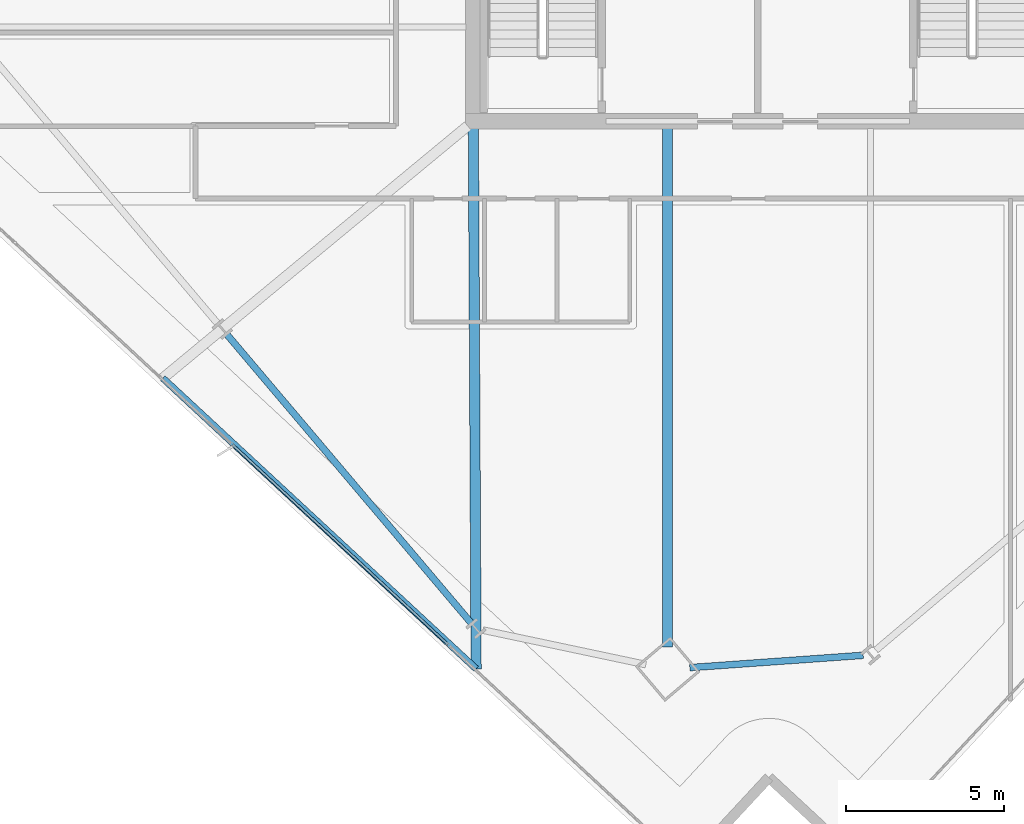
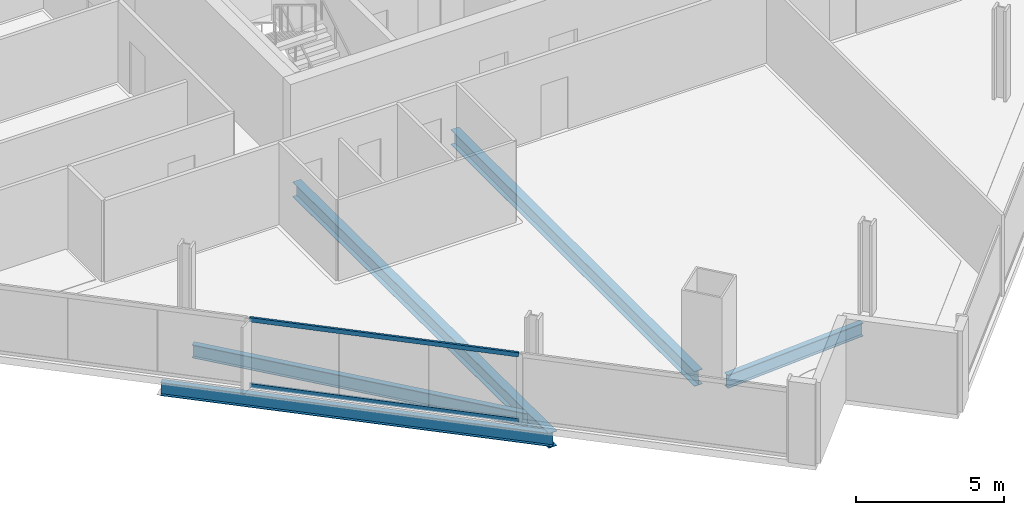
# One storey, part 3 of 32: 5 beams, 2 members, 1 element without a shape of its own.
"""IFC4 building model written with IfcOpenShell, lengths in metres."""

import ifcopenshell
import ifcopenshell.guid

model = None  # the IFC model being written
_history = None  # IfcOwnerHistory: only IFC2X3 demands one
_inside = {}  # id of a spatial element -> (the spatial element, [elements in it])
_under = {}  # id of a project, library or spatial element -> (it, [spatial elements below it])
_declared = {}  # id of a project -> (the project, [libraries it declares])
_typed = {}  # id of a type object -> (the type object, [elements of that type])
_made_of = {}  # id of a material, layer set ... -> (it, [elements and type objects made of it])


def new_model(schema):
    """Start an empty IFC model of exactly this schema.

    Asked for "IFC4X3", IfcOpenShell would pick the latest addendum, in which some entities
    have other attributes; the version numbers below select the first issue.
    IFC2X3 requires an IfcOwnerHistory on every rooted entity: one is made here for all.
    """
    global model, _history
    if schema == "IFC4X3":
        model = ifcopenshell.file(schema_version=(4, 3, 0, 0))
    else:
        model = ifcopenshell.file(schema=schema)
    _inside.clear()
    _under.clear()
    _declared.clear()
    _typed.clear()
    _made_of.clear()
    _history = None
    if model.schema == "IFC2X3":
        org = make("IfcOrganization", Name="unknown")
        user = make(
            "IfcPersonAndOrganization",
            ThePerson=make("IfcPerson", FamilyName="unknown"),
            TheOrganization=org,
        )
        app = make(
            "IfcApplication",
            ApplicationDeveloper=org,
            Version="unknown",
            ApplicationFullName="unknown",
            ApplicationIdentifier="unknown",
        )
        _history = make(
            "IfcOwnerHistory",
            OwningUser=user,
            OwningApplication=app,
            ChangeAction="ADDED",
            CreationDate=0,
        )
    return model


def make(cls, **values):
    """One entity of the class cls with the attributes given. An attribute that is None is left unset."""
    return model.create_entity(
        cls, **{name: value for name, value in values.items() if value is not None}
    )


def rooted(cls, **values):
    """An entity with a GlobalId (a new one), such as an element, a storey or a relation."""
    return make(cls, GlobalId=ifcopenshell.guid.new(), OwnerHistory=_history, **values)


def si_unit(unit_type, name, prefix=None):
    """IfcSIUnit, for example si_unit("LENGTHUNIT", "METRE", prefix="MILLI")."""
    return make("IfcSIUnit", UnitType=unit_type, Prefix=prefix, Name=name)


def assignment(units):
    """IfcUnitAssignment: the units of a project."""
    return None if units is None else make("IfcUnitAssignment", Units=units)


def point(xyz):
    """IfcCartesianPoint."""
    return None if xyz is None else make("IfcCartesianPoint", Coordinates=xyz)


def direction(xyz):
    """IfcDirection."""
    return None if xyz is None else make("IfcDirection", DirectionRatios=xyz)


def frame(location, z_axis=None, x_axis=None):
    """IfcAxis2Placement3D, a coordinate frame: its origin and axes. An axis left out is left unset."""
    return make(
        "IfcAxis2Placement3D",
        Location=point(location),
        Axis=direction(z_axis),
        RefDirection=direction(x_axis),
    )


def frame_2d(location, x_axis=None):
    """IfcAxis2Placement2D, a coordinate frame in the plane: its origin and x axis."""
    return make(
        "IfcAxis2Placement2D", Location=point(location), RefDirection=direction(x_axis)
    )


def origin():
    """The frame at (0, 0, 0) with its axes left unset."""
    return frame((0.0, 0.0, 0.0))


def origin_2d():
    """The frame at (0, 0) in the plane with its x axis left unset."""
    return frame_2d((0.0, 0.0))


def place(relative_to, where):
    """IfcLocalPlacement: puts the frame where relative to a parent placement (None: the world)."""
    return make(
        "IfcLocalPlacement", PlacementRelTo=relative_to, RelativePlacement=where
    )


def context(
    kind, dimensions, precision=None, world=None, true_north=None, identifier=None
):
    """IfcGeometricRepresentationContext, for example the 3D "Model" context."""
    return make(
        "IfcGeometricRepresentationContext",
        ContextIdentifier=identifier,
        ContextType=kind,
        CoordinateSpaceDimension=dimensions,
        Precision=precision,
        WorldCoordinateSystem=world,
        TrueNorth=true_north,
    )


def subcontext(parent, identifier, kind, view, scale=None):
    """IfcGeometricRepresentationSubContext, for example "Body" below "Model"."""
    return make(
        "IfcGeometricRepresentationSubContext",
        ContextIdentifier=identifier,
        ContextType=kind,
        ParentContext=parent,
        TargetScale=scale,
        TargetView=view,
    )


def project(units=None, contexts=None):
    """IfcProject with its units and contexts."""
    return rooted(
        "IfcProject",
        Name="project",
        RepresentationContexts=contexts,
        UnitsInContext=assignment(units),
    )


def spatial(cls, under=None, at=None, **own):
    """A site, building, storey or space (cls), placed at a placement, below another one or the project."""
    s = rooted(cls, ObjectPlacement=at, **own)
    if under is not None:
        _under.setdefault(under.id(), (under, []))[1].append(s)
    return s


def profile(cls, at=None, kind="AREA", **sizes):
    """A parametric profile (cls). Its sizes go by their IFC names, for example OverallWidth=200.0."""
    return make(cls, ProfileType=kind, Position=at, **sizes)


def hollow_rectangle(**sizes):
    """IfcRectangleHollowProfileDef."""
    return profile("IfcRectangleHollowProfileDef", **sizes)


def i_section(**sizes):
    """IfcIShapeProfileDef."""
    return profile("IfcIShapeProfileDef", **sizes)


def extrude(swept, where, along, depth):
    """IfcExtrudedAreaSolid: the profile swept, set in the frame where, extruded along a direction by depth."""
    return make(
        "IfcExtrudedAreaSolid",
        SweptArea=swept,
        Position=where,
        ExtrudedDirection=direction(along),
        Depth=depth,
    )


def shape(context_of_items, identifier, shape_type, items):
    """IfcShapeRepresentation: the items that make up one representation, for example the "Body"."""
    return make(
        "IfcShapeRepresentation",
        ContextOfItems=context_of_items,
        RepresentationIdentifier=identifier,
        RepresentationType=shape_type,
        Items=items,
    )


def material(Name=None, Category=None):
    """IfcMaterial."""
    return make("IfcMaterial", Name=Name, Category=Category)


def material_profile(
    of_material, cross_section, Name=None, Category=None, Priority=None
):
    """IfcMaterialProfile: a cross section and its material."""
    return make(
        "IfcMaterialProfile",
        Name=Name,
        Material=of_material,
        Profile=cross_section,
        Priority=Priority,
        Category=Category,
    )


def profile_set(profiles, Name=None, composite=None):
    """IfcMaterialProfileSet."""
    return make(
        "IfcMaterialProfileSet",
        Name=Name,
        MaterialProfiles=profiles,
        CompositeProfile=composite,
    )


def made_of(thing, what):
    """Note that an element or type object is made of a material, layer set ...; save() writes the relation."""
    if what is not None:
        _made_of.setdefault(what.id(), (what, []))[1].append(thing)
    return thing


def type_object(cls, material=None, **own):
    """A type object (cls), such as IfcWallType, which elements share."""
    return made_of(rooted(cls, **own), material)


def element(
    cls,
    number,
    at=None,
    inside=None,
    cuts=None,
    type_object=None,
    material=None,
    context=None,
    identifier="Body",
    shape_type=None,
    held_by="IfcProductDefinitionShape",
    body=None,
    shapes=None,
    **own,
):
    """One element of the class cls, such as IfcWall. Its Tag is "e" and its number.

    at: its placement. inside: the storey or other place that contains it. cuts: it is an
    opening in that element (IfcRelVoidsElement). A single representation is given by context,
    identifier, shape_type and body (its items); several are given by shapes. held_by: the class
    of the entity that holds the representations. save() writes the other relations.
    """
    e = rooted(cls, Tag="e%d" % number, ObjectPlacement=at, **own)
    if body is not None:
        shapes = [shape(context, identifier, shape_type, body)]
    if shapes is not None:
        e.Representation = make(held_by, Representations=shapes)
    if inside is not None:
        _inside.setdefault(inside.id(), (inside, []))[1].append(e)
    if cuts is not None:
        rooted(
            "IfcRelVoidsElement", RelatingBuildingElement=cuts, RelatedOpeningElement=e
        )
    if type_object is not None:
        _typed.setdefault(type_object.id(), (type_object, []))[1].append(e)
    return made_of(e, material)


def aggregate(whole, parts):
    """IfcRelAggregates: a whole, such as a stair, and the parts it consists of."""
    return rooted("IfcRelAggregates", RelatingObject=whole, RelatedObjects=parts)


def save(model, path):
    """Write the relations noted so far, then the file.

    IfcRelAggregates (storeys below a building ...), IfcRelContainedInSpatialStructure (elements
    in a storey), IfcRelDefinesByType, IfcRelAssociatesMaterial and IfcRelDeclares: one each for
    every whole, place, type object, material and project.
    """
    for whole, parts in _under.values():
        aggregate(whole, parts)
    for where, things in _inside.values():
        rooted(
            "IfcRelContainedInSpatialStructure",
            RelatedElements=things,
            RelatingStructure=where,
        )
    for kind, things in _typed.values():
        rooted("IfcRelDefinesByType", RelatedObjects=things, RelatingType=kind)
    for what, things in _made_of.values():
        rooted("IfcRelAssociatesMaterial", RelatedObjects=things, RelatingMaterial=what)
    for by, libraries in _declared.values():
        rooted("IfcRelDeclares", RelatingContext=by, RelatedDefinitions=libraries)
    model.write(path)


model = new_model("IFC4")

# Units and contexts
model_context = context("Model", 3, precision=1e-05, world=origin(), true_north=direction((0.0, 1.0)))
body_context = subcontext(model_context, "Body", "Model", "MODEL_VIEW")
ifc_project = project(units=[si_unit("LENGTHUNIT", "METRE"), si_unit("AREAUNIT", "SQUARE_METRE"), si_unit("VOLUMEUNIT", "CUBIC_METRE"), si_unit("PLANEANGLEUNIT", "RADIAN"), si_unit("MASSUNIT", "GRAM", prefix="KILO")], contexts=[model_context])

# Site, building, storey
site_placement = place(None, origin())
site = spatial("IfcSite", under=ifc_project, at=site_placement, CompositionType="ELEMENT")
building_placement = place(site_placement, origin())
building = spatial("IfcBuilding", under=site, at=building_placement, Name="Haldenkirk Collegiate Tower", CompositionType="ELEMENT")
storey_placement = place(building_placement, frame((0.0, 0.0, 185.699951171875)))
storey = spatial("IfcBuildingStorey", under=building, at=storey_placement, Name="L46", CompositionType="ELEMENT", Elevation=185.699951171875)

# Beams
ifc_material_1 = material(Name="Steel ASTM A992 Grade 50", Category="steel")
ifc_material_profile_1 = material_profile(ifc_material_1, i_section(OverallWidth=0.324951171875, OverallDepth=0.615966796875, WebThickness=0.013916015625, FlangeThickness=0.021484375, at=origin_2d()), Name="W24X117")
ifc_profile_set_1 = profile_set([ifc_material_profile_1], Name="Steel ASTM A992 Grade 50")
beam_type_1 = type_object("IfcBeamType", Name="BM-GIRDER-W24X117", PredefinedType="BEAM", material=ifc_profile_set_1)
beam_1_placement = place(storey_placement, frame((33.149169921875, 1.36279296875, -0.597900390625), z_axis=(0.0, 1.0, 0.0), x_axis=(-1.0, 0.0, 0.0)))
element("IfcBeam", 1, at=beam_1_placement, inside=storey, type_object=beam_type_1, Name="L46 primary floor girder 01", PredefinedType="BEAM", context=body_context, shape_type="SweptSolid", body=[
    extrude(i_section(OverallWidth=0.324951171875, OverallDepth=0.615966796875, WebThickness=0.013916015625, FlangeThickness=0.021484375, at=origin_2d()), origin(), (0.0, 0.0, 1.0), 16.4072265625),
])
beam_2_placement = place(storey_placement, frame((27.089599609375, 0.67041015625, -0.597900390625), z_axis=(-0.005168406125, 0.9999866437, 0.0), x_axis=(-0.9999866437, -0.005168406125, 0.0)))
element("IfcBeam", 2, at=beam_2_placement, inside=storey, type_object=beam_type_1, Name="L46 primary floor girder 16", PredefinedType="BEAM", context=body_context, shape_type="SweptSolid", body=[
    extrude(i_section(OverallWidth=0.324951171875, OverallDepth=0.615966796875, WebThickness=0.013916015625, FlangeThickness=0.021484375, at=origin_2d()), origin(), (0.0, 0.0, 1.0), 17.099853515625),
])
ifc_material_profile_2 = material_profile(ifc_material_1, i_section(OverallWidth=0.2119140625, OverallDepth=0.5439453125, WebThickness=0.01318359375, FlangeThickness=0.021240234375, at=origin_2d()), Name="W21X83")
ifc_profile_set_2 = profile_set([ifc_material_profile_2], Name="Steel ASTM A992 Grade 50")
beam_type_2 = type_object("IfcBeamType", Name="BM-SPANDREL-W21X83", PredefinedType="SPANDREL", material=ifc_profile_set_2)
beam_3_placement = place(storey_placement, frame((33.852294921875, 0.707763671875, -0.56201171875), z_axis=(0.997489017738, 0.070821320891, 0.0), x_axis=(-0.070821320891, 0.997489017738, 0.0)))
element("IfcBeam", 3, at=beam_3_placement, inside=storey, type_object=beam_type_2, Name="L46 perimeter spandrel beam 01", PredefinedType="SPANDREL", context=body_context, shape_type="SweptSolid", body=[
    extrude(i_section(OverallWidth=0.2119140625, OverallDepth=0.5439453125, WebThickness=0.01318359375, FlangeThickness=0.021240234375, at=origin_2d()), origin(), (0.0, 0.0, 1.0), 5.501953125),
])
beam_4_placement = place(storey_placement, frame((19.202880859375, 11.250732421875, -0.56201171875), z_axis=(0.646115074743, -0.763240008248, 0.0), x_axis=(0.763240008248, 0.646115074743, 0.0)))
element("IfcBeam", 4, at=beam_4_placement, inside=storey, type_object=beam_type_2, Name="L46 perimeter spandrel beam 15", PredefinedType="SPANDREL", context=body_context, shape_type="SweptSolid", body=[
    extrude(i_section(OverallWidth=0.2119140625, OverallDepth=0.5439453125, WebThickness=0.01318359375, FlangeThickness=0.021240234375, at=origin_2d()), origin(), (0.0, 0.0, 1.0), 11.966796875),
])
beam_5_placement = place(storey_placement, frame((17.17333984375, 9.868896484375, -0.56201171875), z_axis=(0.73314247993, -0.680075072416, 0.0), x_axis=(0.680075072416, 0.73314247993, 0.0)))
element("IfcBeam", 5, at=beam_5_placement, inside=storey, type_object=beam_type_2, Name="L46 outer facade edge beam 4", PredefinedType="SPANDREL", context=body_context, shape_type="SweptSolid", body=[
    extrude(i_section(OverallWidth=0.2119140625, OverallDepth=0.5439453125, WebThickness=0.01318359375, FlangeThickness=0.021240234375, at=origin_2d()), origin(), (0.0, 0.0, 1.0), 13.525634765625),
])

# Curtain wall, members
ifc_material_2 = material(Name="Anodised architectural bronze aluminium", Category="aluminium")
curtain_wall_type = type_object("IfcCurtainWallType", Name="CW-SYS1-CONVEX-LOW", PredefinedType="USERDEFINED", material=ifc_material_2)
curtain_wall_placement = place(storey_placement, origin())
curtain_wall = element("IfcCurtainWall", 6, at=curtain_wall_placement, inside=storey, type_object=curtain_wall_type, Name="L46 Lower tower convex bronze-framed unitised curtain wall", ObjectType="UNITISED CURTAIN WALL", PredefinedType="USERDEFINED")
ifc_material_profile_3 = material_profile(ifc_material_2, hollow_rectangle(XDim=0.080078125, YDim=0.179931640625, WallThickness=0.0048828125, at=origin_2d()), Name="CW-TRN-1A")
ifc_profile_set_3 = profile_set([ifc_material_profile_3], Name="Anodised architectural bronze aluminium")
member_type = type_object("IfcMemberType", Name="CW-TRN-1A", PredefinedType="USERDEFINED", material=ifc_profile_set_3)
member_1_placement = place(storey_placement, frame((26.19921875, 1.441650390625, 0.0400390625), z_axis=(-0.733141629135, 0.680075989599, 0.0), x_axis=(-0.680075989599, -0.733141629135, 0.0)))
member_1 = element("IfcMember", 7, at=member_1_placement, type_object=member_type, Name="CW-1A transom 2.1", ObjectType="TRANSOM", PredefinedType="USERDEFINED", context=body_context, shape_type="SweptSolid", body=[
    extrude(hollow_rectangle(XDim=0.080078125, YDim=0.179931640625, WallThickness=0.0048828125, at=origin_2d()), origin(), (0.0, 0.0, 1.0), 9.288818359375),
])
member_2_placement = place(storey_placement, frame((26.19921875, 1.441650390625, 2.7509765625), z_axis=(-0.733141629135, 0.680075989599, 0.0), x_axis=(-0.680075989599, -0.733141629135, 0.0)))
member_2 = element("IfcMember", 8, at=member_2_placement, type_object=member_type, Name="CW-1A transom 2.2", ObjectType="TRANSOM", PredefinedType="USERDEFINED", context=body_context, shape_type="SweptSolid", body=[
    extrude(hollow_rectangle(XDim=0.080078125, YDim=0.179931640625, WallThickness=0.0048828125, at=origin_2d()), origin(), (0.0, 0.0, 1.0), 9.288818359375),
])
aggregate(curtain_wall, [member_1, member_2])

save(model, "model.ifc")
